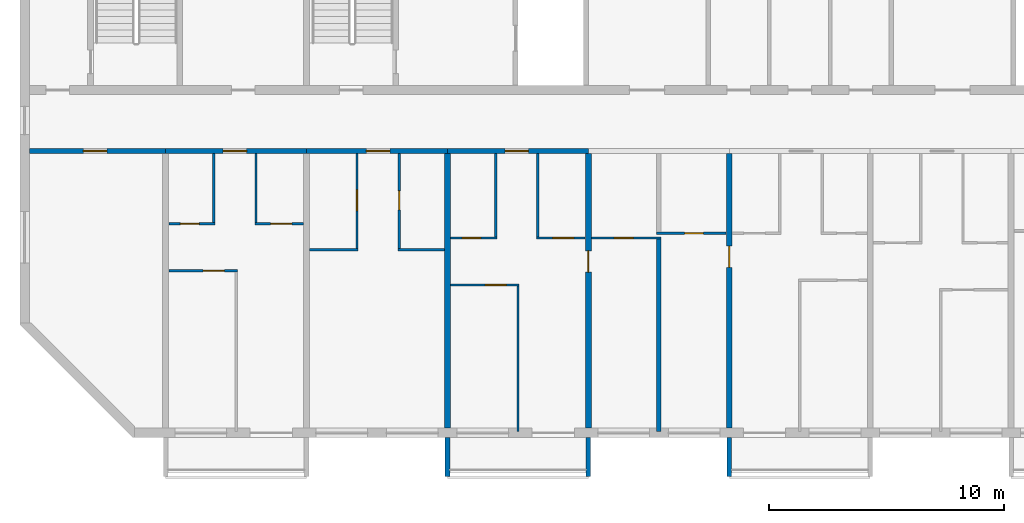
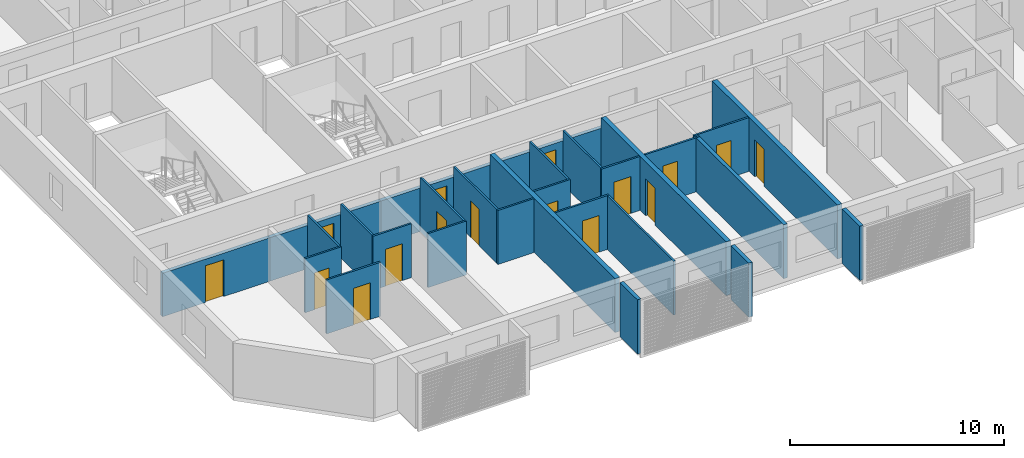
# One storey, part 2 of 27: 28 walls, 16 doors, 16 openings.
"""IFC4 building model written with IfcOpenShell, lengths in metres."""

from ifc_helpers import new_model, si_unit, direction, frame, frame_2d, origin, place, context, subcontext, project, spatial, polyline, rectangle, outline, extrude, source, transform, mapped, material, layer, layer_set, type_object, element, fill, save


model = new_model("IFC4")

# Units and contexts
model_context = context("Model", 3, precision=1e-05, world=origin(), true_north=direction((0.0, 1.0)))
body_context = subcontext(model_context, "Body", "Model", "MODEL_VIEW")
ifc_project = project(units=[si_unit("LENGTHUNIT", "METRE"), si_unit("AREAUNIT", "SQUARE_METRE"), si_unit("VOLUMEUNIT", "CUBIC_METRE"), si_unit("PLANEANGLEUNIT", "RADIAN"), si_unit("MASSUNIT", "GRAM", prefix="KILO")], contexts=[model_context])

# Site, building, storey
site_placement = place(None, origin())
site = spatial("IfcSite", under=ifc_project, at=site_placement, CompositionType="ELEMENT")
building_placement = place(site_placement, origin())
building = spatial("IfcBuilding", under=site, at=building_placement, Name="Poui Terraces", CompositionType="ELEMENT")
storey_placement = place(building_placement, frame((0.0, 0.0, 198.300048828125)))
storey = spatial("IfcBuildingStorey", under=building, at=storey_placement, Name="L55", CompositionType="ELEMENT", Elevation=198.300048828125)

# Wall, opening, door
ifc_material_1 = material(Name="Concrete 50 MPa", Category="concrete")
ifc_layer_1 = layer(ifc_material_1, 0.199951171875)
ifc_layer_set_1 = layer_set([ifc_layer_1], Name="Concrete 50 MPa")
wall_type_1 = type_object("IfcWallType", Name="CORRIDOR WALL 200 50MPa", PredefinedType="SHEAR", material=ifc_layer_set_1)
wall_1_placement = place(storey_placement, frame((18.199951171875, 12.0, 0.0), z_axis=(0.0, 0.0, 1.0), x_axis=(1.0, 0.0, 0.0)))
wall_1 = element("IfcWall", 1, at=wall_1_placement, inside=storey, type_object=wall_type_1, Name="CORRIDOR WALL LINE B BAY 1", PredefinedType="SHEAR", context=body_context, shape_type="SweptSolid", body=[
    extrude(rectangle(XDim=5.800048828125, YDim=0.199951171875, at=frame_2d((2.89990234375, 0.0))), origin(), (0.0, 0.0, 1.0), 2.47998046875),
])
opening_1_placement = place(wall_1_placement, frame((2.300048828125, 0.0, 0.0)))
opening_1 = element("IfcOpeningElement", 2, at=opening_1_placement, cuts=wall_1, Name="Opening D100", PredefinedType="OPENING", context=body_context, shape_type="SweptSolid", body=[
    extrude(rectangle(XDim=1.0, YDim=2.10009765625, at=frame_2d((0.5, 1.050048828125))), frame((0.0, 0.10986328125, 0.0), z_axis=(0.0, -1.0, 0.0), x_axis=(1.0, 0.0, 0.0)), (0.0, 0.0, 1.0), 0.219970703125),
])
ifc_material_2 = material(Name="Solid core timber door", Category="wood")
door_type_1 = type_object("IfcDoorType", Name="ACCESSIBLE INTERNAL DOOR 1000 X 2100", OperationType="NOTDEFINED", PredefinedType="DOOR", material=ifc_material_2)
door_1_placement = place(opening_1_placement, frame((1.0, 0.0, 0.0), z_axis=(0.0, 0.0, 1.0), x_axis=(-1.0, 0.0, 0.0)))
door_1 = element("IfcDoor", 3, at=door_1_placement, inside=storey, type_object=door_type_1, Name="ACCESSIBLE INTERNAL DOOR 063", OperationType="SINGLE_SWING_RIGHT", OverallHeight=2.10009765625, OverallWidth=1.0, PredefinedType="DOOR", context=body_context, shape_type="SweptSolid", body=[
    extrude(rectangle(XDim=1.0, YDim=2.10009765625, at=frame_2d((0.5, 1.050048828125))), frame((0.0, 0.02490234375, 0.0), z_axis=(0.0, -1.0, 0.0), x_axis=(1.0, 0.0, 0.0)), (0.0, 0.0, 1.0), 0.050048828125),
])
fill(opening_1, door_1)

wall_2_placement = place(storey_placement, frame((24.0, 12.0, 0.0), z_axis=(0.0, 0.0, 1.0), x_axis=(1.0, 0.0, 0.0)))
wall_2 = element("IfcWall", 4, at=wall_2_placement, inside=storey, type_object=wall_type_1, Name="CORRIDOR WALL LINE B BAY 2", PredefinedType="SHEAR", context=body_context, shape_type="SweptSolid", body=[
    extrude(rectangle(XDim=6.0, YDim=0.199951171875, at=frame_2d((3.0, 0.0))), origin(), (0.0, 0.0, 1.0), 2.47998046875),
])
opening_2_placement = place(wall_2_placement, frame((2.449951171875, 0.0, 0.0)))
opening_2 = element("IfcOpeningElement", 5, at=opening_2_placement, cuts=wall_2, Name="Opening FD30S", PredefinedType="OPENING", context=body_context, shape_type="SweptSolid", body=[
    extrude(rectangle(XDim=1.0, YDim=2.10009765625, at=frame_2d((0.5, 1.050048828125))), frame((0.0, 0.10986328125, 0.0), z_axis=(0.0, -1.0, 0.0), x_axis=(1.0, 0.0, 0.0)), (0.0, 0.0, 1.0), 0.219970703125),
])
ifc_material_3 = material(Name="Steel fire door", Category="steel")
door_type_2 = type_object("IfcDoorType", Name="FLAT ENTRANCE DOOR 1000 X 2100", OperationType="NOTDEFINED", PredefinedType="DOOR", material=ifc_material_3)
door_2_placement = place(opening_2_placement, frame((1.0, 0.0, 0.0), z_axis=(0.0, 0.0, 1.0), x_axis=(-1.0, 0.0, 0.0)))
door_2 = element("IfcDoor", 6, at=door_2_placement, inside=storey, type_object=door_type_2, Name="FLAT ENTRANCE DOOR 066", OperationType="SINGLE_SWING_RIGHT", OverallHeight=2.10009765625, OverallWidth=1.0, PredefinedType="DOOR", context=body_context, shape_type="SweptSolid", body=[
    extrude(rectangle(XDim=1.0, YDim=2.10009765625, at=frame_2d((0.5, 1.050048828125))), frame((0.0, 0.02490234375, 0.0), z_axis=(0.0, -1.0, 0.0), x_axis=(1.0, 0.0, 0.0)), (0.0, 0.0, 1.0), 0.050048828125),
])
fill(opening_2, door_2)

wall_3_placement = place(storey_placement, frame((30.0, 12.0, 0.0), z_axis=(0.0, 0.0, 1.0), x_axis=(1.0, 0.0, 0.0)))
wall_3 = element("IfcWall", 7, at=wall_3_placement, inside=storey, type_object=wall_type_1, Name="CORRIDOR WALL LINE B BAY 3", PredefinedType="SHEAR", context=body_context, shape_type="SweptSolid", body=[
    extrude(rectangle(XDim=6.0, YDim=0.199951171875, at=frame_2d((3.0, 0.0))), origin(), (0.0, 0.0, 1.0), 2.47998046875),
])
opening_3_placement = place(wall_3_placement, frame((2.550048828125, 0.0, 0.0)))
opening_3 = element("IfcOpeningElement", 8, at=opening_3_placement, cuts=wall_3, Name="Opening FD30S", PredefinedType="OPENING", context=body_context, shape_type="SweptSolid", body=[
    extrude(rectangle(XDim=1.0, YDim=2.10009765625, at=frame_2d((0.5, 1.050048828125))), frame((0.0, 0.10986328125, 0.0), z_axis=(0.0, -1.0, 0.0), x_axis=(1.0, 0.0, 0.0)), (0.0, 0.0, 1.0), 0.219970703125),
])
door_3_placement = place(opening_3_placement, frame((1.0, 0.0, 0.0), z_axis=(0.0, 0.0, 1.0), x_axis=(-1.0, 0.0, 0.0)))
door_3 = element("IfcDoor", 9, at=door_3_placement, inside=storey, type_object=door_type_2, Name="FLAT ENTRANCE DOOR 069", OperationType="SINGLE_SWING_LEFT", OverallHeight=2.10009765625, OverallWidth=1.0, PredefinedType="DOOR", context=body_context, shape_type="SweptSolid", body=[
    extrude(rectangle(XDim=1.0, YDim=2.10009765625, at=frame_2d((0.5, 1.050048828125))), frame((0.0, 0.02490234375, 0.0), z_axis=(0.0, -1.0, 0.0), x_axis=(1.0, 0.0, 0.0)), (0.0, 0.0, 1.0), 0.050048828125),
])
fill(opening_3, door_3)

wall_4_placement = place(storey_placement, frame((36.0, 12.0, 0.0), z_axis=(0.0, 0.0, 1.0), x_axis=(1.0, 0.0, 0.0)))
wall_4 = element("IfcWall", 10, at=wall_4_placement, inside=storey, type_object=wall_type_1, Name="CORRIDOR WALL LINE B BAY 4", PredefinedType="SHEAR", context=body_context, shape_type="SweptSolid", body=[
    extrude(rectangle(XDim=6.0, YDim=0.199951171875, at=frame_2d((3.0, 0.0))), origin(), (0.0, 0.0, 1.0), 2.47998046875),
])
opening_4_placement = place(wall_4_placement, frame((2.449951171875, 0.0, 0.0)))
opening_4 = element("IfcOpeningElement", 11, at=opening_4_placement, cuts=wall_4, Name="Opening FD30S", PredefinedType="OPENING", context=body_context, shape_type="SweptSolid", body=[
    extrude(rectangle(XDim=1.0, YDim=2.10009765625, at=frame_2d((0.5, 1.050048828125))), frame((0.0, 0.10986328125, 0.0), z_axis=(0.0, -1.0, 0.0), x_axis=(1.0, 0.0, 0.0)), (0.0, 0.0, 1.0), 0.219970703125),
])
door_4_placement = place(opening_4_placement, frame((1.0, 0.0, 0.0), z_axis=(0.0, 0.0, 1.0), x_axis=(-1.0, 0.0, 0.0)))
door_4 = element("IfcDoor", 12, at=door_4_placement, inside=storey, type_object=door_type_2, Name="FLAT ENTRANCE DOOR 074", OperationType="SINGLE_SWING_RIGHT", OverallHeight=2.10009765625, OverallWidth=1.0, PredefinedType="DOOR", context=body_context, shape_type="SweptSolid", body=[
    extrude(rectangle(XDim=1.0, YDim=2.10009765625, at=frame_2d((0.5, 1.050048828125))), frame((0.0, 0.02490234375, 0.0), z_axis=(0.0, -1.0, 0.0), x_axis=(1.0, 0.0, 0.0)), (0.0, 0.0, 1.0), 0.050048828125),
])
fill(opening_4, door_4)

# Wall
ifc_layer_2 = layer(ifc_material_1, 0.25)
ifc_layer_set_2 = layer_set([ifc_layer_2], Name="Concrete 50 MPa")
wall_type_2 = type_object("IfcWallType", Name="CROSS WALL 250 50MPa", PredefinedType="SHEAR", material=ifc_layer_set_2)
wall_5_placement = place(storey_placement, frame((36.0, 0.199951171875, 0.0), z_axis=(0.0, 0.0, 1.0), x_axis=(0.0, 1.0, 0.0)))
element("IfcWall", 13, at=wall_5_placement, inside=storey, type_object=wall_type_2, Name="CROSS WALL LINE 7 SOUTH", PredefinedType="SHEAR", context=body_context, shape_type="SweptSolid", body=[
    extrude(rectangle(XDim=11.699951171875, YDim=0.25, at=frame_2d((5.85009765625, 0.0))), origin(), (0.0, 0.0, 1.0), 3.079833984375),
])

# Wall, opening, door
wall_6_placement = place(storey_placement, frame((42.0, 0.199951171875, 0.0), z_axis=(0.0, 0.0, 1.0), x_axis=(0.0, 1.0, 0.0)))
wall_6 = element("IfcWall", 14, at=wall_6_placement, inside=storey, type_object=wall_type_2, Name="CROSS WALL LINE 8 SOUTH", PredefinedType="SHEAR", context=body_context, shape_type="SweptSolid", body=[
    extrude(rectangle(XDim=11.699951171875, YDim=0.25, at=frame_2d((5.85009765625, 0.0))), origin(), (0.0, 0.0, 1.0), 3.079833984375),
])
opening_5_placement = place(wall_6_placement, frame((6.64990234375, 0.0, 0.0)))
opening_5 = element("IfcOpeningElement", 15, at=opening_5_placement, cuts=wall_6, Name="Opening D90", PredefinedType="OPENING", context=body_context, shape_type="SweptSolid", body=[
    extrude(rectangle(XDim=0.89990234375, YDim=2.10009765625, at=frame_2d((0.449951171875, 1.050048828125))), frame((0.0, 0.135009765625, 0.0), z_axis=(0.0, -1.0, 0.0), x_axis=(1.0, 0.0, 0.0)), (0.0, 0.0, 1.0), 0.27001953125),
])
door_type_3 = type_object("IfcDoorType", Name="INTERNAL DOOR 900 X 2100", OperationType="NOTDEFINED", PredefinedType="DOOR", material=ifc_material_2)
door_5_placement = place(opening_5_placement, frame((0.89990234375, 0.0, 0.0), z_axis=(0.0, 0.0, 1.0), x_axis=(-1.0, 0.0, 0.0)))
door_5 = element("IfcDoor", 16, at=door_5_placement, inside=storey, type_object=door_type_3, Name="INTERNAL DOOR 076", OperationType="SINGLE_SWING_LEFT", OverallHeight=2.10009765625, OverallWidth=0.89990234375, PredefinedType="DOOR", context=body_context, shape_type="SweptSolid", body=[
    extrude(rectangle(XDim=0.89990234375, YDim=2.10009765625, at=frame_2d((0.449951171875, 1.050048828125))), frame((0.0, 0.02490234375, 0.0), z_axis=(0.0, -1.0, 0.0), x_axis=(1.0, 0.0, 0.0)), (0.0, 0.0, 1.0), 0.050048828125),
])
fill(opening_5, door_5)

wall_7_placement = place(storey_placement, frame((48.0, 0.199951171875, 0.0), z_axis=(0.0, 0.0, 1.0), x_axis=(0.0, 1.0, 0.0)))
wall_7 = element("IfcWall", 17, at=wall_7_placement, inside=storey, type_object=wall_type_2, Name="CROSS WALL LINE 9 SOUTH", PredefinedType="SHEAR", context=body_context, shape_type="SweptSolid", body=[
    extrude(rectangle(XDim=11.699951171875, YDim=0.25, at=frame_2d((5.85009765625, 0.0))), origin(), (0.0, 0.0, 1.0), 3.079833984375),
])
opening_6_placement = place(wall_7_placement, frame((6.85009765625, 0.0, 0.0)))
opening_6 = element("IfcOpeningElement", 18, at=opening_6_placement, cuts=wall_7, Name="Opening D90", PredefinedType="OPENING", context=body_context, shape_type="SweptSolid", body=[
    extrude(rectangle(XDim=0.89990234375, YDim=2.10009765625, at=frame_2d((0.449951171875, 1.050048828125))), frame((0.0, 0.135009765625, 0.0), z_axis=(0.0, -1.0, 0.0), x_axis=(1.0, 0.0, 0.0)), (0.0, 0.0, 1.0), 0.27001953125),
])
door_6_placement = place(opening_6_placement, origin())
door_6 = element("IfcDoor", 19, at=door_6_placement, inside=storey, type_object=door_type_3, Name="INTERNAL DOOR 078", OperationType="SINGLE_SWING_RIGHT", OverallHeight=2.10009765625, OverallWidth=0.89990234375, PredefinedType="DOOR", context=body_context, shape_type="SweptSolid", body=[
    extrude(rectangle(XDim=0.89990234375, YDim=2.10009765625, at=frame_2d((0.449951171875, 1.050048828125))), frame((0.0, 0.02490234375, 0.0), z_axis=(0.0, -1.0, 0.0), x_axis=(1.0, 0.0, 0.0)), (0.0, 0.0, 1.0), 0.050048828125),
])
fill(opening_6, door_6)

ifc_material_4 = material(Name="Plasterboard partition")
ifc_layer_3 = layer(ifc_material_4, 0.10009765625)
ifc_layer_set_3 = layer_set([ifc_layer_3], Name="Plasterboard partition")
wall_type_3 = type_object("IfcWallType", Name="FLAT PARTITION 100", PredefinedType="PARTITIONING", material=ifc_layer_set_3)
wall_8_placement = place(storey_placement, frame((36.135009765625, 6.300048828125, 0.0), z_axis=(0.0, 0.0, 1.0), x_axis=(1.0, 0.0, 0.0)))
wall_8 = element("IfcWall", 20, at=wall_8_placement, inside=storey, type_object=wall_type_3, Name="FLAT PARTITION 100", PredefinedType="PARTITIONING", context=body_context, shape_type="SweptSolid", body=[
    extrude(rectangle(XDim=2.9150390625, YDim=0.10009765625, at=frame_2d((1.45751953125, 0.0))), origin(), (0.0, 0.0, 1.0), 3.079833984375),
])
opening_7_placement = place(wall_8_placement, frame((1.465087890625, 0.0, 0.0)))
opening_7 = element("IfcOpeningElement", 21, at=opening_7_placement, cuts=wall_8, Name="Opening D90", PredefinedType="OPENING", context=body_context, shape_type="SweptSolid", body=[
    extrude(rectangle(XDim=0.89990234375, YDim=2.10009765625, at=frame_2d((0.449951171875, 1.050048828125))), frame((0.0, 0.06005859375, 0.0), z_axis=(0.0, -1.0, 0.0), x_axis=(1.0, 0.0, 0.0)), (0.0, 0.0, 1.0), 0.1201171875),
])
door_7_placement = place(opening_7_placement, origin())
door_7 = element("IfcDoor", 22, at=door_7_placement, inside=storey, type_object=door_type_3, Name="INTERNAL DOOR 073", OperationType="SINGLE_SWING_LEFT", OverallHeight=2.10009765625, OverallWidth=0.89990234375, PredefinedType="DOOR", context=body_context, shape_type="SweptSolid", body=[
    extrude(rectangle(XDim=0.89990234375, YDim=2.10009765625, at=frame_2d((0.449951171875, 1.050048828125))), frame((0.0, 0.02490234375, 0.0), z_axis=(0.0, -1.0, 0.0), x_axis=(1.0, 0.0, 0.0)), (0.0, 0.0, 1.0), 0.050048828125),
])
fill(opening_7, door_7)

wall_9_placement = place(storey_placement, frame((24.135009765625, 6.89990234375, 0.0), z_axis=(0.0, 0.0, 1.0), x_axis=(1.0, 0.0, 0.0)))
wall_9 = element("IfcWall", 23, at=wall_9_placement, inside=storey, type_object=wall_type_3, Name="FLAT PARTITION 100", PredefinedType="PARTITIONING", context=body_context, shape_type="SweptSolid", body=[
    extrude(rectangle(XDim=2.9150390625, YDim=0.10009765625, at=frame_2d((1.45751953125, 0.0))), origin(), (0.0, 0.0, 1.0), 3.079833984375),
])
opening_8_placement = place(wall_9_placement, frame((1.465087890625, 0.0, 0.0)))
opening_8 = element("IfcOpeningElement", 24, at=opening_8_placement, cuts=wall_9, Name="Opening D90", PredefinedType="OPENING", context=body_context, shape_type="SweptSolid", body=[
    extrude(rectangle(XDim=0.89990234375, YDim=2.10009765625, at=frame_2d((0.449951171875, 1.050048828125))), frame((0.0, 0.06005859375, 0.0), z_axis=(0.0, -1.0, 0.0), x_axis=(1.0, 0.0, 0.0)), (0.0, 0.0, 1.0), 0.1201171875),
])
door_8_placement = place(opening_8_placement, origin())
door_8 = element("IfcDoor", 25, at=door_8_placement, inside=storey, type_object=door_type_3, Name="INTERNAL DOOR 065", OperationType="SINGLE_SWING_LEFT", OverallHeight=2.10009765625, OverallWidth=0.89990234375, PredefinedType="DOOR", context=body_context, shape_type="SweptSolid", body=[
    extrude(rectangle(XDim=0.89990234375, YDim=2.10009765625, at=frame_2d((0.449951171875, 1.050048828125))), frame((0.0, 0.02490234375, 0.0), z_axis=(0.0, -1.0, 0.0), x_axis=(1.0, 0.0, 0.0)), (0.0, 0.0, 1.0), 0.050048828125),
])
fill(opening_8, door_8)

# Walls
wall_10_placement = place(storey_placement, frame((30.135009765625, 7.800048828125, 0.0), z_axis=(0.0, 0.0, 1.0), x_axis=(1.0, 0.0, 0.0)))
element("IfcWall", 26, at=wall_10_placement, inside=storey, type_object=wall_type_3, Name="FLAT PARTITION 100", PredefinedType="PARTITIONING", context=body_context, shape_type="SweptSolid", body=[
    extrude(rectangle(XDim=2.06494140625, YDim=0.10009765625, at=frame_2d((1.032470703125, 0.0))), origin(), (0.0, 0.0, 1.0), 3.079833984375),
])
wall_11_placement = place(storey_placement, frame((33.89990234375, 7.800048828125, 0.0), z_axis=(0.0, 0.0, 1.0), x_axis=(1.0, 0.0, 0.0)))
element("IfcWall", 27, at=wall_11_placement, inside=storey, type_object=wall_type_3, Name="FLAT PARTITION 100", PredefinedType="PARTITIONING", context=body_context, shape_type="SweptSolid", body=[
    extrude(rectangle(XDim=1.965087890625, YDim=0.10009765625, at=frame_2d((0.982421875, 0.0))), origin(), (0.0, 0.0, 1.0), 3.079833984375),
])

# Wall, opening, door
wall_12_placement = place(storey_placement, frame((36.135009765625, 8.300048828125, 0.0), z_axis=(0.0, 0.0, 1.0), x_axis=(1.0, 0.0, 0.0)))
wall_12 = element("IfcWall", 28, at=wall_12_placement, inside=storey, type_object=wall_type_3, Name="FLAT PARTITION 100", PredefinedType="PARTITIONING", context=body_context, shape_type="SweptSolid", body=[
    extrude(rectangle(XDim=1.965087890625, YDim=0.10009765625, at=frame_2d((0.982421875, 0.0))), origin(), (0.0, 0.0, 1.0), 3.079833984375),
])
opening_9_placement = place(wall_12_placement, frame((0.489990234375, 0.0, 0.0)))
opening_9 = element("IfcOpeningElement", 29, at=opening_9_placement, cuts=wall_12, Name="Opening D80", PredefinedType="OPENING", context=body_context, shape_type="SweptSolid", body=[
    extrude(rectangle(XDim=0.800048828125, YDim=2.10009765625, at=frame_2d((0.39990234375, 1.050048828125))), frame((0.0, 0.06005859375, 0.0), z_axis=(0.0, -1.0, 0.0), x_axis=(1.0, 0.0, 0.0)), (0.0, 0.0, 1.0), 0.1201171875),
])
door_type_4 = type_object("IfcDoorType", Name="BATHROOM, LAUNDRY AND STORE DOOR 800 X 2100", OperationType="NOTDEFINED", PredefinedType="DOOR", material=ifc_material_2)
door_9_placement = place(opening_9_placement, origin())
door_9 = element("IfcDoor", 30, at=door_9_placement, inside=storey, type_object=door_type_4, Name="BATHROOM, LAUNDRY AND STORE DOOR 072", OperationType="SINGLE_SWING_RIGHT", OverallHeight=2.10009765625, OverallWidth=0.800048828125, PredefinedType="DOOR", context=body_context, shape_type="SweptSolid", body=[
    extrude(rectangle(XDim=0.800048828125, YDim=2.10009765625, at=frame_2d((0.39990234375, 1.050048828125))), frame((0.0, 0.02490234375, 0.0), z_axis=(0.0, -1.0, 0.0), x_axis=(1.0, 0.0, 0.0)), (0.0, 0.0, 1.0), 0.050048828125),
])
fill(opening_9, door_9)

wall_13_placement = place(storey_placement, frame((39.800048828125, 8.300048828125, 0.0), z_axis=(0.0, 0.0, 1.0), x_axis=(1.0, 0.0, 0.0)))
wall_13 = element("IfcWall", 31, at=wall_13_placement, inside=storey, type_object=wall_type_3, Name="FLAT PARTITION 100", PredefinedType="PARTITIONING", context=body_context, shape_type="SweptSolid", body=[
    extrude(rectangle(XDim=2.06494140625, YDim=0.10009765625, at=frame_2d((1.032470703125, 0.0))), origin(), (0.0, 0.0, 1.0), 3.079833984375),
])
opening_10_placement = place(wall_13_placement, frame((0.675048828125, 0.0, 0.0)))
opening_10 = element("IfcOpeningElement", 32, at=opening_10_placement, cuts=wall_13, Name="Opening D90", PredefinedType="OPENING", context=body_context, shape_type="SweptSolid", body=[
    extrude(rectangle(XDim=0.89990234375, YDim=2.10009765625, at=frame_2d((0.449951171875, 1.050048828125))), frame((0.0, 0.06005859375, 0.0), z_axis=(0.0, -1.0, 0.0), x_axis=(1.0, 0.0, 0.0)), (0.0, 0.0, 1.0), 0.1201171875),
])
door_10_placement = place(opening_10_placement, origin())
door_10 = element("IfcDoor", 33, at=door_10_placement, inside=storey, type_object=door_type_3, Name="INTERNAL DOOR 075", OperationType="SINGLE_SWING_LEFT", OverallHeight=2.10009765625, OverallWidth=0.89990234375, PredefinedType="DOOR", context=body_context, shape_type="SweptSolid", body=[
    extrude(rectangle(XDim=0.89990234375, YDim=2.10009765625, at=frame_2d((0.449951171875, 1.050048828125))), frame((0.0, 0.02490234375, 0.0), z_axis=(0.0, -1.0, 0.0), x_axis=(1.0, 0.0, 0.0)), (0.0, 0.0, 1.0), 0.050048828125),
])
fill(opening_10, door_10)

wall_14_placement = place(storey_placement, frame((42.135009765625, 8.300048828125, 0.0), z_axis=(0.0, 0.0, 1.0), x_axis=(1.0, 0.0, 0.0)))
wall_14 = element("IfcWall", 34, at=wall_14_placement, inside=storey, type_object=wall_type_3, Name="FLAT PARTITION 100", PredefinedType="PARTITIONING", context=body_context, shape_type="SweptSolid", body=[
    extrude(rectangle(XDim=2.965087890625, YDim=0.10009765625, at=frame_2d((1.482421875, 0.0))), origin(), (0.0, 0.0, 1.0), 3.079833984375),
])
opening_11_placement = place(wall_14_placement, frame((0.965087890625, 0.0, 0.0)))
opening_11 = element("IfcOpeningElement", 35, at=opening_11_placement, cuts=wall_14, Name="Opening D80", PredefinedType="OPENING", context=body_context, shape_type="SweptSolid", body=[
    extrude(rectangle(XDim=0.800048828125, YDim=2.10009765625, at=frame_2d((0.39990234375, 1.050048828125))), frame((0.0, 0.06005859375, 0.0), z_axis=(0.0, -1.0, 0.0), x_axis=(1.0, 0.0, 0.0)), (0.0, 0.0, 1.0), 0.1201171875),
])
door_11_placement = place(opening_11_placement, origin())
door_11 = element("IfcDoor", 36, at=door_11_placement, inside=storey, type_object=door_type_4, Name="BATHROOM, LAUNDRY AND STORE DOOR 071", OperationType="SINGLE_SWING_RIGHT", OverallHeight=2.10009765625, OverallWidth=0.800048828125, PredefinedType="DOOR", context=body_context, shape_type="SweptSolid", body=[
    extrude(rectangle(XDim=0.800048828125, YDim=2.10009765625, at=frame_2d((0.39990234375, 1.050048828125))), frame((0.0, 0.02490234375, 0.0), z_axis=(0.0, -1.0, 0.0), x_axis=(1.0, 0.0, 0.0)), (0.0, 0.0, 1.0), 0.050048828125),
])
fill(opening_11, door_11)

wall_15_placement = place(storey_placement, frame((44.89990234375, 8.5, 0.0), z_axis=(0.0, 0.0, 1.0), x_axis=(1.0, 0.0, 0.0)))
wall_15 = element("IfcWall", 37, at=wall_15_placement, inside=storey, type_object=wall_type_3, Name="FLAT PARTITION 100", PredefinedType="PARTITIONING", context=body_context, shape_type="SweptSolid", body=[
    extrude(rectangle(XDim=2.965087890625, YDim=0.10009765625, at=frame_2d((1.482421875, 0.0))), origin(), (0.0, 0.0, 1.0), 3.079833984375),
])
opening_12_placement = place(wall_15_placement, frame((1.199951171875, 0.0, 0.0)))
opening_12 = element("IfcOpeningElement", 38, at=opening_12_placement, cuts=wall_15, Name="Opening D80", PredefinedType="OPENING", context=body_context, shape_type="SweptSolid", body=[
    extrude(rectangle(XDim=0.800048828125, YDim=2.10009765625, at=frame_2d((0.39990234375, 1.050048828125))), frame((0.0, 0.06005859375, 0.0), z_axis=(0.0, -1.0, 0.0), x_axis=(1.0, 0.0, 0.0)), (0.0, 0.0, 1.0), 0.1201171875),
])
door_12_placement = place(opening_12_placement, origin())
door_12 = element("IfcDoor", 39, at=door_12_placement, inside=storey, type_object=door_type_4, Name="BATHROOM, LAUNDRY AND STORE DOOR 077", OperationType="SINGLE_SWING_LEFT", OverallHeight=2.10009765625, OverallWidth=0.800048828125, PredefinedType="DOOR", context=body_context, shape_type="SweptSolid", body=[
    extrude(rectangle(XDim=0.800048828125, YDim=2.10009765625, at=frame_2d((0.39990234375, 1.050048828125))), frame((0.0, 0.02490234375, 0.0), z_axis=(0.0, -1.0, 0.0), x_axis=(1.0, 0.0, 0.0)), (0.0, 0.0, 1.0), 0.050048828125),
])
fill(opening_12, door_12)

wall_16_placement = place(storey_placement, frame((24.135009765625, 8.89990234375, 0.0), z_axis=(0.0, 0.0, 1.0), x_axis=(1.0, 0.0, 0.0)))
wall_16 = element("IfcWall", 40, at=wall_16_placement, inside=storey, type_object=wall_type_3, Name="FLAT PARTITION 100", PredefinedType="PARTITIONING", context=body_context, shape_type="SweptSolid", body=[
    extrude(rectangle(XDim=1.965087890625, YDim=0.10009765625, at=frame_2d((0.982421875, 0.0))), origin(), (0.0, 0.0, 1.0), 3.079833984375),
])
opening_13_placement = place(wall_16_placement, frame((0.489990234375, 0.0, 0.0)))
opening_13 = element("IfcOpeningElement", 41, at=opening_13_placement, cuts=wall_16, Name="Opening D80", PredefinedType="OPENING", context=body_context, shape_type="SweptSolid", body=[
    extrude(rectangle(XDim=0.800048828125, YDim=2.10009765625, at=frame_2d((0.39990234375, 1.050048828125))), frame((0.0, 0.06005859375, 0.0), z_axis=(0.0, -1.0, 0.0), x_axis=(1.0, 0.0, 0.0)), (0.0, 0.0, 1.0), 0.1201171875),
])
door_13_placement = place(opening_13_placement, origin())
door_13 = element("IfcDoor", 42, at=door_13_placement, inside=storey, type_object=door_type_4, Name="BATHROOM, LAUNDRY AND STORE DOOR 064", OperationType="SINGLE_SWING_RIGHT", OverallHeight=2.10009765625, OverallWidth=0.800048828125, PredefinedType="DOOR", context=body_context, shape_type="SweptSolid", body=[
    extrude(rectangle(XDim=0.800048828125, YDim=2.10009765625, at=frame_2d((0.39990234375, 1.050048828125))), frame((0.0, 0.02490234375, 0.0), z_axis=(0.0, -1.0, 0.0), x_axis=(1.0, 0.0, 0.0)), (0.0, 0.0, 1.0), 0.050048828125),
])
fill(opening_13, door_13)

wall_17_placement = place(storey_placement, frame((27.800048828125, 8.89990234375, 0.0), z_axis=(0.0, 0.0, 1.0), x_axis=(1.0, 0.0, 0.0)))
wall_17 = element("IfcWall", 43, at=wall_17_placement, inside=storey, type_object=wall_type_3, Name="FLAT PARTITION 100", PredefinedType="PARTITIONING", context=body_context, shape_type="SweptSolid", body=[
    extrude(rectangle(XDim=2.06494140625, YDim=0.10009765625, at=frame_2d((1.032470703125, 0.0))), origin(), (0.0, 0.0, 1.0), 3.079833984375),
])
opening_14_placement = place(wall_17_placement, frame((0.675048828125, 0.0, 0.0)))
opening_14 = element("IfcOpeningElement", 44, at=opening_14_placement, cuts=wall_17, Name="Opening D90", PredefinedType="OPENING", context=body_context, shape_type="SweptSolid", body=[
    extrude(rectangle(XDim=0.89990234375, YDim=2.10009765625, at=frame_2d((0.449951171875, 1.050048828125))), frame((0.0, 0.06005859375, 0.0), z_axis=(0.0, -1.0, 0.0), x_axis=(1.0, 0.0, 0.0)), (0.0, 0.0, 1.0), 0.1201171875),
])
door_14_placement = place(opening_14_placement, origin())
door_14 = element("IfcDoor", 45, at=door_14_placement, inside=storey, type_object=door_type_3, Name="INTERNAL DOOR 067", OperationType="SINGLE_SWING_LEFT", OverallHeight=2.10009765625, OverallWidth=0.89990234375, PredefinedType="DOOR", context=body_context, shape_type="SweptSolid", body=[
    extrude(rectangle(XDim=0.89990234375, YDim=2.10009765625, at=frame_2d((0.449951171875, 1.050048828125))), frame((0.0, 0.02490234375, 0.0), z_axis=(0.0, -1.0, 0.0), x_axis=(1.0, 0.0, 0.0)), (0.0, 0.0, 1.0), 0.050048828125),
])
fill(opening_14, door_14)

# Walls
for number, where, z_axis, x_axis, name in (
    (46, (26.050048828125, 8.949951171875, 0.0), (0.0, 0.0, 1.0), (0.0, 1.0, 0.0), "FLAT PARTITION 100"),
    (47, (27.85009765625, 8.949951171875, 0.0), (0.0, 0.0, 1.0), (0.0, 1.0, 0.0), "FLAT PARTITION 100"),
):
    element("IfcWall", number, at=place(storey_placement, frame(where, z_axis=z_axis, x_axis=x_axis)), inside=storey, type_object=wall_type_3, Name=name, PredefinedType="PARTITIONING", context=body_context, shape_type="SweptSolid", body=[
        extrude(rectangle(XDim=2.93994140625, YDim=0.10009765625, at=frame_2d((1.469970703125, 0.0))), origin(), (0.0, 0.0, 1.0), 3.079833984375),
    ])

# Wall, opening, door
wall_18_placement = place(storey_placement, frame((32.14990234375, 7.85009765625, 0.0), z_axis=(0.0, 0.0, 1.0), x_axis=(0.0, 1.0, 0.0)))
wall_18 = element("IfcWall", 48, at=wall_18_placement, inside=storey, type_object=wall_type_3, Name="FLAT PARTITION 100", PredefinedType="PARTITIONING", context=body_context, shape_type="SweptSolid", body=[
    extrude(rectangle(XDim=4.039794921875, YDim=0.10009765625, at=frame_2d((2.02001953125, 0.0))), origin(), (0.0, 0.0, 1.0), 3.079833984375),
])
opening_15_placement = place(wall_18_placement, frame((1.60009765625, 0.0, 0.0)))
opening_15 = element("IfcOpeningElement", 49, at=opening_15_placement, cuts=wall_18, Name="Opening D90", PredefinedType="OPENING", context=body_context, shape_type="SweptSolid", body=[
    extrude(rectangle(XDim=0.89990234375, YDim=2.10009765625, at=frame_2d((0.449951171875, 1.050048828125))), frame((0.0, 0.06005859375, 0.0), z_axis=(0.0, -1.0, 0.0), x_axis=(1.0, 0.0, 0.0)), (0.0, 0.0, 1.0), 0.1201171875),
])
door_15_placement = place(opening_15_placement, origin())
door_15 = element("IfcDoor", 50, at=door_15_placement, inside=storey, type_object=door_type_3, Name="INTERNAL DOOR 068", OperationType="SINGLE_SWING_RIGHT", OverallHeight=2.10009765625, OverallWidth=0.89990234375, PredefinedType="DOOR", context=body_context, shape_type="SweptSolid", body=[
    extrude(rectangle(XDim=0.89990234375, YDim=2.10009765625, at=frame_2d((0.449951171875, 1.050048828125))), frame((0.0, 0.02490234375, 0.0), z_axis=(0.0, -1.0, 0.0), x_axis=(1.0, 0.0, 0.0)), (0.0, 0.0, 1.0), 0.050048828125),
])
fill(opening_15, door_15)

wall_19_placement = place(storey_placement, frame((33.949951171875, 7.85009765625, 0.0), z_axis=(0.0, 0.0, 1.0), x_axis=(0.0, 1.0, 0.0)))
wall_19 = element("IfcWall", 51, at=wall_19_placement, inside=storey, type_object=wall_type_3, Name="FLAT PARTITION 100", PredefinedType="PARTITIONING", context=body_context, shape_type="SweptSolid", body=[
    extrude(rectangle(XDim=4.039794921875, YDim=0.10009765625, at=frame_2d((2.02001953125, 0.0))), origin(), (0.0, 0.0, 1.0), 3.079833984375),
])
opening_16_placement = place(wall_19_placement, frame((1.64990234375, 0.0, 0.0)))
opening_16 = element("IfcOpeningElement", 52, at=opening_16_placement, cuts=wall_19, Name="Opening D80", PredefinedType="OPENING", context=body_context, shape_type="SweptSolid", body=[
    extrude(rectangle(XDim=0.800048828125, YDim=2.10009765625, at=frame_2d((0.39990234375, 1.050048828125))), frame((0.0, 0.06005859375, 0.0), z_axis=(0.0, -1.0, 0.0), x_axis=(1.0, 0.0, 0.0)), (0.0, 0.0, 1.0), 0.1201171875),
])
door_16_placement = place(opening_16_placement, frame((0.800048828125, 0.0, 0.0), z_axis=(0.0, 0.0, 1.0), x_axis=(-1.0, 0.0, 0.0)))
door_16 = element("IfcDoor", 53, at=door_16_placement, inside=storey, type_object=door_type_4, Name="BATHROOM, LAUNDRY AND STORE DOOR 070", OperationType="SINGLE_SWING_RIGHT", OverallHeight=2.10009765625, OverallWidth=0.800048828125, PredefinedType="DOOR", context=body_context, shape_type="SweptSolid", body=[
    extrude(rectangle(XDim=0.800048828125, YDim=2.10009765625, at=frame_2d((0.39990234375, 1.050048828125))), frame((0.0, 0.02490234375, 0.0), z_axis=(0.0, -1.0, 0.0), x_axis=(1.0, 0.0, 0.0)), (0.0, 0.0, 1.0), 0.050048828125),
])
fill(opening_16, door_16)

# Walls
wall_20_placement = place(storey_placement, frame((38.050048828125, 8.35009765625, 0.0), z_axis=(0.0, 0.0, 1.0), x_axis=(0.0, 1.0, 0.0)))
element("IfcWall", 54, at=wall_20_placement, inside=storey, type_object=wall_type_3, Name="FLAT PARTITION 100", PredefinedType="PARTITIONING", context=body_context, shape_type="SweptSolid", body=[
    extrude(rectangle(XDim=3.539794921875, YDim=0.10009765625, at=frame_2d((1.77001953125, 0.0))), origin(), (0.0, 0.0, 1.0), 3.079833984375),
])
wall_21_placement = place(storey_placement, frame((39.0, 0.06005859375, 0.0), z_axis=(0.0, 0.0, 1.0), x_axis=(0.0, 1.0, 0.0)))
element("IfcWall", 55, at=wall_21_placement, inside=storey, type_object=wall_type_3, Name="FLAT PARTITION 100", PredefinedType="PARTITIONING", context=body_context, shape_type="SweptSolid", body=[
    extrude(rectangle(XDim=6.18994140625, YDim=0.10009765625, at=frame_2d((3.094970703125, 0.0))), origin(), (0.0, 0.0, 1.0), 3.079833984375),
])
wall_22_placement = place(storey_placement, frame((39.85009765625, 8.35009765625, 0.0), z_axis=(0.0, 0.0, 1.0), x_axis=(0.0, 1.0, 0.0)))
element("IfcWall", 56, at=wall_22_placement, inside=storey, type_object=wall_type_3, Name="FLAT PARTITION 100", PredefinedType="PARTITIONING", context=body_context, shape_type="SweptSolid", body=[
    extrude(rectangle(XDim=3.539794921875, YDim=0.10009765625, at=frame_2d((1.77001953125, 0.0))), origin(), (0.0, 0.0, 1.0), 3.079833984375),
])
ifc_material_5 = material(Name="Fire-rated masonry wall", Category="masonry")
ifc_layer_4 = layer(ifc_material_5, 0.199951171875)
ifc_layer_set_4 = layer_set([ifc_layer_4], Name="Fire-rated masonry wall")
wall_type_4 = type_object("IfcWallType", Name="FLAT PARTY WALL 200", PredefinedType="PARTITIONING", material=ifc_layer_set_4)
wall_23_placement = place(storey_placement, frame((45.0, 0.06005859375, 0.0), z_axis=(0.0, 0.0, 1.0), x_axis=(0.0, 1.0, 0.0)))
element("IfcWall", 57, at=wall_23_placement, inside=storey, type_object=wall_type_4, Name="FLAT PARTY WALL 200", PredefinedType="PARTITIONING", context=body_context, shape_type="SweptSolid", body=[
    extrude(rectangle(XDim=8.18994140625, YDim=0.199951171875, at=frame_2d((4.094970703125, 0.0))), origin(), (0.0, 0.0, 1.0), 3.079833984375),
])
ifc_material_6 = material(Name="Precast concrete 40 MPa", Category="concrete")
ifc_layer_5 = layer(ifc_material_6, 0.199951171875)
ifc_layer_set_5 = layer_set([ifc_layer_5], Name="Precast concrete 40 MPa")
wall_type_5 = type_object("IfcWallType", Name="REAR FIN 200", PredefinedType="STANDARD", material=ifc_layer_set_5)
shared_shape = source(origin(), body_context, "Body", "SweptSolid", [
    extrude(outline(polyline([(0.0, 0.0), (0.2001953125, 0.0), (0.2001953125, 1.650146484375), (0.0, 1.650146484375), (0.0, 0.0)])), origin(), (0.0, 0.0, 1.0), 3.099853515625),
])
for number, where, name in (
    (58, (35.89990234375, -1.85009765625, 0.0), "REAR FIN"),
    (59, (41.89990234375, -1.85009765625, 0.0), "REAR FIN"),
    (60, (47.89990234375, -1.85009765625, 0.0), "REAR FIN"),
):
    element("IfcWall", number, at=place(storey_placement, frame(where)), inside=storey, type_object=wall_type_5, Name=name, PredefinedType="STANDARD", context=body_context, shape_type="MappedRepresentation", body=[
        mapped(shared_shape, transform((0.0, 0.0, 0.0))),
    ])

save(model, "model.ifc")
